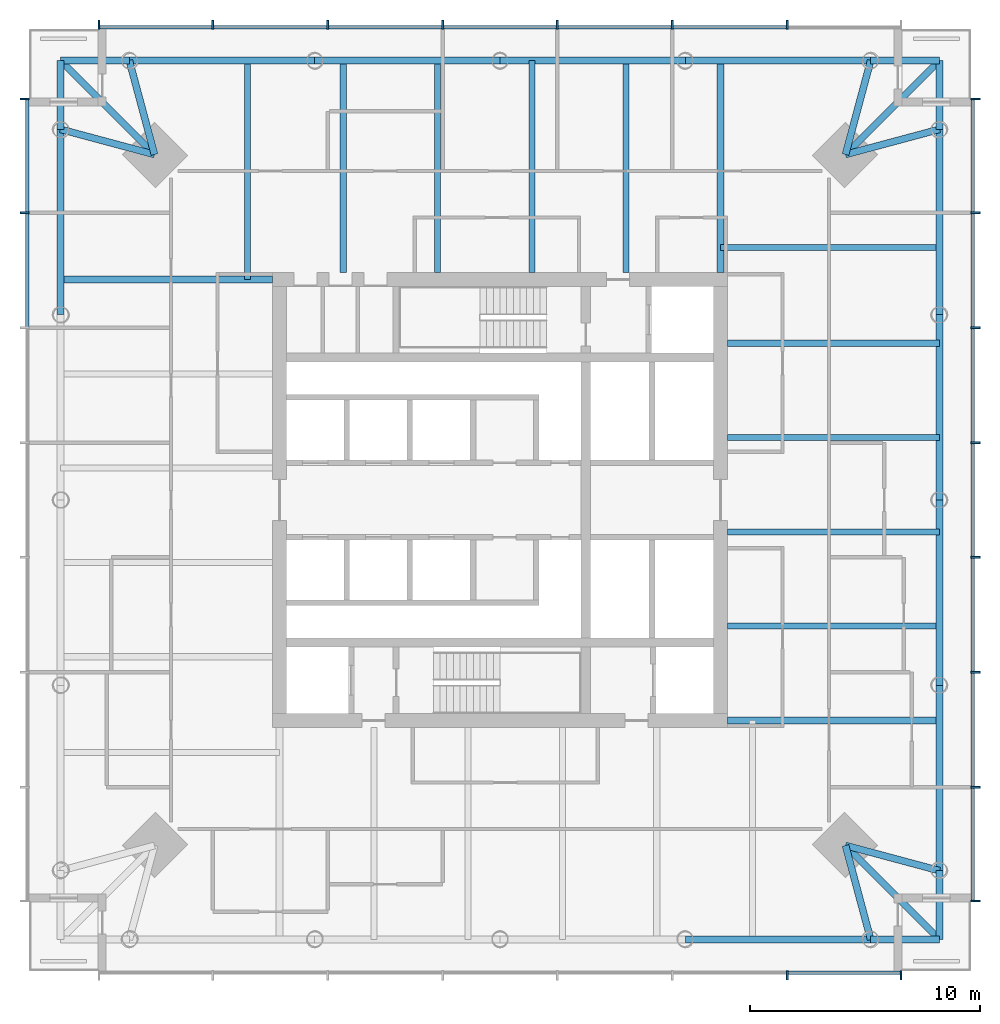
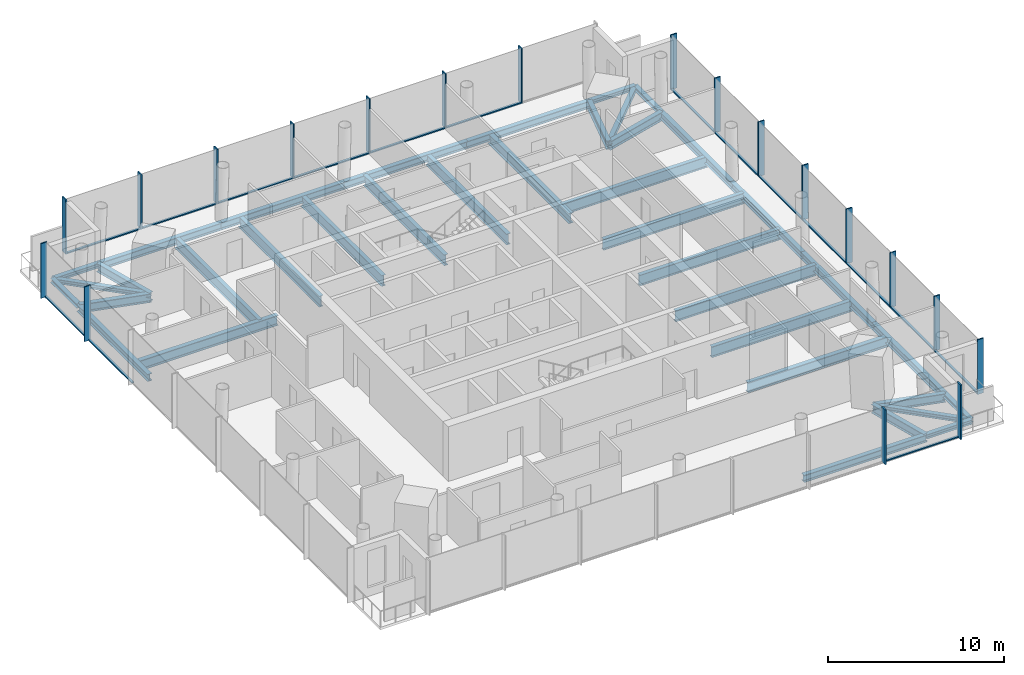
# One storey, part 2 of 8: 38 beams, 35 members, 4 elements without a shape of their own.
"""IFC4 building model written with IfcOpenShell, lengths in metres."""

from ifc_helpers import new_model, si_unit, direction, frame, origin, origin_2d, place, context, subcontext, project, spatial, rectangle, i_section, extrude, material, material_profile, profile_set, type_object, element, aggregate, save


model = new_model("IFC4")

# Units and contexts
model_context = context("Model", 3, precision=1e-05, world=origin(), true_north=direction((0.0, 1.0)))
body_context = subcontext(model_context, "Body", "Model", "MODEL_VIEW")
ifc_project = project(units=[si_unit("LENGTHUNIT", "METRE"), si_unit("AREAUNIT", "SQUARE_METRE"), si_unit("VOLUMEUNIT", "CUBIC_METRE"), si_unit("PLANEANGLEUNIT", "RADIAN"), si_unit("MASSUNIT", "GRAM", prefix="KILO")], contexts=[model_context])

# Site, building, storey
site_placement = place(None, origin())
site = spatial("IfcSite", under=ifc_project, at=site_placement, CompositionType="ELEMENT")
building_placement = place(site_placement, origin())
building = spatial("IfcBuilding", under=site, at=building_placement, Name="Ostroluk Exchange", CompositionType="ELEMENT")
storey_placement = place(building_placement, frame((0.0, 0.0, 173.0)))
storey = spatial("IfcBuildingStorey", under=building, at=storey_placement, Name="L44", CompositionType="ELEMENT", Elevation=173.0)

# Beams
ifc_material_1 = material(Name="Steel S355", Category="steel")
ifc_material_profile_1 = material_profile(ifc_material_1, i_section(OverallWidth=0.300048828125, OverallDepth=0.300048828125, WebThickness=0.010986328125, FlangeThickness=0.01904296875, FilletRadius=0.027099609375, at=origin_2d()), Name="HEB 300")
ifc_profile_set_1 = profile_set([ifc_material_profile_1], Name="Steel S355")
beam_type_1 = type_object("IfcBeamType", Name="Balcony beam HEB 300", PredefinedType="BEAM", material=ifc_profile_set_1)
for number, where, z_axis, x_axis, name in (
    (1, (64.142822265625, 62.142822265625, -0.330078125), (0.0, 1.0, 0.0), (-1.0, 0.0, 0.0), "T1 east balcony beam a"),
    (2, (61.142822265625, 65.142822265625, -0.330078125), (1.0, 0.0, 0.0), (0.0, 1.0, 0.0), "T1 east balcony beam b"),
):
    element("IfcBeam", number, at=place(storey_placement, frame(where, z_axis=z_axis, x_axis=x_axis)), inside=storey, type_object=beam_type_1, Name=name, PredefinedType="BEAM", context=body_context, shape_type="SweptSolid", body=[
        extrude(i_section(OverallWidth=0.300048828125, OverallDepth=0.300048828125, WebThickness=0.010986328125, FlangeThickness=0.01904296875, FilletRadius=0.027099609375, at=origin_2d()), origin(), (0.0, 0.0, 1.0), 3.0),
    ])
beam_1_placement = place(storey_placement, frame((60.04296875, 61.04296875, -0.330078125), z_axis=(0.707106781187, 0.707106781187, 0.0), x_axis=(-0.707106781187, 0.707106781187, 0.0)))
element("IfcBeam", 3, at=beam_1_placement, inside=storey, type_object=beam_type_1, Name="T1 east balcony beam c", PredefinedType="BEAM", context=body_context, shape_type="SweptSolid", body=[
    extrude(i_section(OverallWidth=0.300048828125, OverallDepth=0.300048828125, WebThickness=0.010986328125, FlangeThickness=0.01904296875, FilletRadius=0.027099609375, at=origin_2d()), origin(), (0.0, 0.0, 1.0), 5.798095703125),
])
for number, where, z_axis, x_axis, name in (
    (4, (28.857177734375, 65.142822265625, -0.330078125), (-1.0, 0.0, 0.0), (0.0, -1.0, 0.0), "T1 north balcony beam a"),
    (5, (25.857177734375, 62.142822265625, -0.330078125), (0.0, 1.0, 0.0), (-1.0, 0.0, 0.0), "T1 north balcony beam b"),
):
    element("IfcBeam", number, at=place(storey_placement, frame(where, z_axis=z_axis, x_axis=x_axis)), inside=storey, type_object=beam_type_1, Name=name, PredefinedType="BEAM", context=body_context, shape_type="SweptSolid", body=[
        extrude(i_section(OverallWidth=0.300048828125, OverallDepth=0.300048828125, WebThickness=0.010986328125, FlangeThickness=0.01904296875, FilletRadius=0.027099609375, at=origin_2d()), origin(), (0.0, 0.0, 1.0), 3.0),
    ])
beam_2_placement = place(storey_placement, frame((29.95703125, 61.04296875, -0.330078125), z_axis=(-0.707106781187, 0.707106781187, 0.0), x_axis=(-0.707106781187, -0.707106781187, 0.0)))
element("IfcBeam", 6, at=beam_2_placement, inside=storey, type_object=beam_type_1, Name="T1 north balcony beam c", PredefinedType="BEAM", context=body_context, shape_type="SweptSolid", body=[
    extrude(i_section(OverallWidth=0.300048828125, OverallDepth=0.300048828125, WebThickness=0.010986328125, FlangeThickness=0.01904296875, FilletRadius=0.027099609375, at=origin_2d()), origin(), (0.0, 0.0, 1.0), 5.798095703125),
])
for number, where, z_axis, x_axis, name in (
    (7, (61.142822265625, 26.857177734375, -0.330078125), (1.0, 0.0, 0.0), (0.0, 1.0, 0.0), "T1 south balcony beam a"),
    (8, (64.142822265625, 29.857177734375, -0.330078125), (0.0, -1.0, 0.0), (1.0, 0.0, 0.0), "T1 south balcony beam b"),
):
    element("IfcBeam", number, at=place(storey_placement, frame(where, z_axis=z_axis, x_axis=x_axis)), inside=storey, type_object=beam_type_1, Name=name, PredefinedType="BEAM", context=body_context, shape_type="SweptSolid", body=[
        extrude(i_section(OverallWidth=0.300048828125, OverallDepth=0.300048828125, WebThickness=0.010986328125, FlangeThickness=0.01904296875, FilletRadius=0.027099609375, at=origin_2d()), origin(), (0.0, 0.0, 1.0), 3.0),
    ])
beam_3_placement = place(storey_placement, frame((60.04296875, 30.95703125, -0.330078125), z_axis=(0.707106781187, -0.707106781187, 0.0), x_axis=(0.707106781187, 0.707106781187, 0.0)))
element("IfcBeam", 9, at=beam_3_placement, inside=storey, type_object=beam_type_1, Name="T1 south balcony beam c", PredefinedType="BEAM", context=body_context, shape_type="SweptSolid", body=[
    extrude(i_section(OverallWidth=0.300048828125, OverallDepth=0.300048828125, WebThickness=0.010986328125, FlangeThickness=0.01904296875, FilletRadius=0.027099609375, at=origin_2d()), origin(), (0.0, 0.0, 1.0), 5.798095703125),
])
ifc_material_2 = material(Name="Steel S355", Category="steel")
ifc_material_profile_2 = material_profile(ifc_material_2, i_section(OverallWidth=0.300048828125, OverallDepth=0.60009765625, WebThickness=0.015380859375, FlangeThickness=0.030029296875, FilletRadius=0.027099609375, at=origin_2d()), Name="HEB 600")
ifc_profile_set_2 = profile_set([ifc_material_profile_2], Name="Steel S355")
beam_type_2 = type_object("IfcBeamType", Name="Corner edge beam HEB 600", PredefinedType="SPANDREL", material=ifc_profile_set_2)
for number, where, z_axis, x_axis, name in (
    (10, (60.04296875, 61.04296875, -0.47998046875), (0.965849156574, 0.259105011038, 0.0), (-0.259105011038, 0.965849156574, 0.0), "T1 east corner edge beam a"),
    (11, (60.04296875, 61.04296875, -0.47998046875), (0.259105011038, 0.965849156574, 0.0), (-0.965849156574, 0.259105011038, 0.0), "T1 east corner edge beam b"),
    (12, (29.95703125, 61.04296875, -0.47998046875), (-0.259105011038, 0.965849156574, 0.0), (-0.965849156574, -0.259105011038, 0.0), "T1 north corner edge beam a"),
    (13, (29.95703125, 61.04296875, -0.47998046875), (-0.965849156574, 0.259105011038, 0.0), (-0.259105011038, -0.965849156574, 0.0), "T1 north corner edge beam b"),
    (14, (60.04296875, 30.95703125, -0.47998046875), (0.259105011038, -0.965849156574, 0.0), (0.965849156574, 0.259105011038, 0.0), "T1 south corner edge beam a"),
    (15, (60.04296875, 30.95703125, -0.47998046875), (0.965849156574, -0.259105011038, 0.0), (0.259105011038, 0.965849156574, 0.0), "T1 south corner edge beam b"),
):
    element("IfcBeam", number, at=place(storey_placement, frame(where, z_axis=z_axis, x_axis=x_axis)), inside=storey, type_object=beam_type_2, Name=name, PredefinedType="SPANDREL", context=body_context, shape_type="SweptSolid", body=[
        extrude(i_section(OverallWidth=0.300048828125, OverallDepth=0.60009765625, WebThickness=0.015380859375, FlangeThickness=0.030029296875, FilletRadius=0.027099609375, at=origin_2d()), origin(), (0.0, 0.0, 1.0), 4.244873046875),
    ])
ifc_material_3 = material(Name="Steel S355", Category="steel")
ifc_material_profile_3 = material_profile(ifc_material_3, i_section(OverallWidth=0.264892578125, OverallDepth=0.7529296875, WebThickness=0.01318359375, FlangeThickness=0.01708984375, FilletRadius=0.01708984375, at=origin_2d()), Name="IPE 750x147")
ifc_profile_set_3 = profile_set([ifc_material_profile_3], Name="Steel S355")
beam_type_3 = type_object("IfcBeamType", Name="Floor beam IPE 750x147", PredefinedType="BEAM", material=ifc_profile_set_3)
for number, where, z_axis, x_axis, name in (
    (16, (54.89990234375, 40.506103515625, -0.556396484375), (1.0, 0.0, 0.0), (0.0, 1.0, 0.0), "T1 east floor beam 1"),
    (17, (54.89990234375, 44.6123046875, -0.556396484375), (1.0, 0.0, 0.0), (0.0, 1.0, 0.0), "T1 east floor beam 2"),
    (18, (54.89990234375, 48.71826171875, -0.556396484375), (1.0, 0.0, 0.0), (0.0, 1.0, 0.0), "T1 east floor beam 3"),
    (19, (54.89990234375, 52.824462890625, -0.556396484375), (1.0, 0.0, 0.0), (0.0, 1.0, 0.0), "T1 east floor beam 4"),
):
    element("IfcBeam", number, at=place(storey_placement, frame(where, z_axis=z_axis, x_axis=x_axis)), inside=storey, type_object=beam_type_3, Name=name, PredefinedType="BEAM", context=body_context, shape_type="SweptSolid", body=[
        extrude(i_section(OverallWidth=0.264892578125, OverallDepth=0.7529296875, WebThickness=0.01318359375, FlangeThickness=0.01708984375, FilletRadius=0.01708984375, at=origin_2d()), origin(), (0.0, 0.0, 1.0), 9.242919921875),
    ])
beam_4_placement = place(storey_placement, frame((54.60009765625, 57.0, -0.556396484375), z_axis=(1.0, 0.0, 0.0), x_axis=(0.0, 1.0, 0.0)))
element("IfcBeam", 20, at=beam_4_placement, inside=storey, type_object=beam_type_3, Name="T1 east floor beam 5", PredefinedType="BEAM", context=body_context, shape_type="SweptSolid", body=[
    extrude(i_section(OverallWidth=0.264892578125, OverallDepth=0.7529296875, WebThickness=0.01318359375, FlangeThickness=0.01708984375, FilletRadius=0.01708984375, at=origin_2d()), origin(), (0.0, 0.0, 1.0), 9.542724609375),
])
for number, where, z_axis, x_axis, name in (
    (21, (50.493896484375, 55.89990234375, -0.556396484375), (0.0, 1.0, 0.0), (-1.0, 0.0, 0.0), "T1 north floor beam 1"),
    (22, (46.3876953125, 55.89990234375, -0.556396484375), (0.0, 1.0, 0.0), (-1.0, 0.0, 0.0), "T1 north floor beam 2"),
    (23, (42.28173828125, 55.89990234375, -0.556396484375), (0.0, 1.0, 0.0), (-1.0, 0.0, 0.0), "T1 north floor beam 3"),
    (24, (38.175537109375, 55.89990234375, -0.556396484375), (0.0, 1.0, 0.0), (-1.0, 0.0, 0.0), "T1 north floor beam 4"),
):
    element("IfcBeam", number, at=place(storey_placement, frame(where, z_axis=z_axis, x_axis=x_axis)), inside=storey, type_object=beam_type_3, Name=name, PredefinedType="BEAM", context=body_context, shape_type="SweptSolid", body=[
        extrude(i_section(OverallWidth=0.264892578125, OverallDepth=0.7529296875, WebThickness=0.01318359375, FlangeThickness=0.01708984375, FilletRadius=0.01708984375, at=origin_2d()), origin(), (0.0, 0.0, 1.0), 9.242919921875),
    ])
beam_5_placement = place(storey_placement, frame((34.0, 55.60009765625, -0.556396484375), z_axis=(0.0, 1.0, 0.0), x_axis=(-1.0, 0.0, 0.0)))
element("IfcBeam", 25, at=beam_5_placement, inside=storey, type_object=beam_type_3, Name="T1 north floor beam 5", PredefinedType="BEAM", context=body_context, shape_type="SweptSolid", body=[
    extrude(i_section(OverallWidth=0.264892578125, OverallDepth=0.7529296875, WebThickness=0.01318359375, FlangeThickness=0.01708984375, FilletRadius=0.01708984375, at=origin_2d()), origin(), (0.0, 0.0, 1.0), 9.542724609375),
])
ifc_material_4 = material(Name="Steel S355", Category="steel")
ifc_material_profile_4 = material_profile(ifc_material_4, i_section(OverallWidth=0.300048828125, OverallDepth=0.699951171875, WebThickness=0.01708984375, FlangeThickness=0.031982421875, FilletRadius=0.027099609375, at=origin_2d()), Name="HEB 700")
ifc_profile_set_4 = profile_set([ifc_material_profile_4], Name="Steel S355")
beam_type_4 = type_object("IfcBeamType", Name="Girder HEB 700", PredefinedType="BEAM", material=ifc_profile_set_4)
for number, where, z_axis, x_axis, name in (
    (26, (54.60009765625, 55.89990234375, -0.530029296875), (0.0, 1.0, 0.0), (-1.0, 0.0, 0.0), "T1 east girder"),
    (27, (35.10009765625, 55.60009765625, -0.530029296875), (-1.0, 0.0, 0.0), (0.0, -1.0, 0.0), "T1 north girder"),
    (28, (54.89990234375, 36.39990234375, -0.530029296875), (1.0, 0.0, 0.0), (0.0, 1.0, 0.0), "T1 south girder"),
):
    element("IfcBeam", number, at=place(storey_placement, frame(where, z_axis=z_axis, x_axis=x_axis)), inside=storey, type_object=beam_type_4, Name=name, PredefinedType="BEAM", context=body_context, shape_type="SweptSolid", body=[
        extrude(i_section(OverallWidth=0.300048828125, OverallDepth=0.699951171875, WebThickness=0.01708984375, FlangeThickness=0.031982421875, FilletRadius=0.027099609375, at=origin_2d()), origin(), (0.0, 0.0, 1.0), 9.242919921875),
    ])
ifc_material_5 = material(Name="Steel S355", Category="steel")
ifc_material_profile_5 = material_profile(ifc_material_5, i_section(OverallWidth=0.300048828125, OverallDepth=0.5, WebThickness=0.014404296875, FlangeThickness=0.028076171875, FilletRadius=0.027099609375, at=origin_2d()), Name="HEB 500")
ifc_profile_set_5 = profile_set([ifc_material_profile_5], Name="Steel S355")
beam_type_5 = type_object("IfcBeamType", Name="Moment-connected edge beam HEB 500", PredefinedType="SPANDREL", material=ifc_profile_set_5)
beam_6_placement = place(storey_placement, frame((64.142822265625, 29.857177734375, -0.429931640625), z_axis=(0.0, 1.0, 0.0), x_axis=(-1.0, 0.0, 0.0)))
element("IfcBeam", 29, at=beam_6_placement, inside=storey, type_object=beam_type_5, Name="T1 east edge beam 1", PredefinedType="SPANDREL", context=body_context, shape_type="SweptSolid", body=[
    extrude(i_section(OverallWidth=0.300048828125, OverallDepth=0.5, WebThickness=0.014404296875, FlangeThickness=0.028076171875, FilletRadius=0.027099609375, at=origin_2d()), origin(), (0.0, 0.0, 1.0), 8.0712890625),
])
for number, where, z_axis, x_axis, name in (
    (30, (64.142822265625, 37.928466796875, -0.429931640625), (0.0, 1.0, 0.0), (-1.0, 0.0, 0.0), "T1 east edge beam 2"),
    (31, (64.142822265625, 46.0, -0.429931640625), (0.0, 1.0, 0.0), (-1.0, 0.0, 0.0), "T1 east edge beam 3"),
):
    element("IfcBeam", number, at=place(storey_placement, frame(where, z_axis=z_axis, x_axis=x_axis)), inside=storey, type_object=beam_type_5, Name=name, PredefinedType="SPANDREL", context=body_context, shape_type="SweptSolid", body=[
        extrude(i_section(OverallWidth=0.300048828125, OverallDepth=0.5, WebThickness=0.014404296875, FlangeThickness=0.028076171875, FilletRadius=0.027099609375, at=origin_2d()), origin(), (0.0, 0.0, 1.0), 8.071533203125),
    ])
for number, where, z_axis, x_axis, name in (
    (32, (64.142822265625, 54.071533203125, -0.429931640625), (0.0, 1.0, 0.0), (-1.0, 0.0, 0.0), "T1 east edge beam 4"),
    (33, (61.142822265625, 65.142822265625, -0.429931640625), (-1.0, 0.0, 0.0), (0.0, -1.0, 0.0), "T1 north edge beam 1"),
):
    element("IfcBeam", number, at=place(storey_placement, frame(where, z_axis=z_axis, x_axis=x_axis)), inside=storey, type_object=beam_type_5, Name=name, PredefinedType="SPANDREL", context=body_context, shape_type="SweptSolid", body=[
        extrude(i_section(OverallWidth=0.300048828125, OverallDepth=0.5, WebThickness=0.014404296875, FlangeThickness=0.028076171875, FilletRadius=0.027099609375, at=origin_2d()), origin(), (0.0, 0.0, 1.0), 8.0712890625),
    ])
for number, where, z_axis, x_axis, name in (
    (34, (53.071533203125, 65.142822265625, -0.429931640625), (-1.0, 0.0, 0.0), (0.0, -1.0, 0.0), "T1 north edge beam 2"),
    (35, (45.0, 65.142822265625, -0.429931640625), (-1.0, 0.0, 0.0), (0.0, -1.0, 0.0), "T1 north edge beam 3"),
):
    element("IfcBeam", number, at=place(storey_placement, frame(where, z_axis=z_axis, x_axis=x_axis)), inside=storey, type_object=beam_type_5, Name=name, PredefinedType="SPANDREL", context=body_context, shape_type="SweptSolid", body=[
        extrude(i_section(OverallWidth=0.300048828125, OverallDepth=0.5, WebThickness=0.014404296875, FlangeThickness=0.028076171875, FilletRadius=0.027099609375, at=origin_2d()), origin(), (0.0, 0.0, 1.0), 8.071533203125),
    ])
for number, where, z_axis, x_axis, name in (
    (36, (36.928466796875, 65.142822265625, -0.429931640625), (-1.0, 0.0, 0.0), (0.0, -1.0, 0.0), "T1 north edge beam 4"),
    (37, (25.857177734375, 62.142822265625, -0.429931640625), (0.0, -1.0, 0.0), (1.0, 0.0, 0.0), "T1 west edge beam 1"),
    (38, (53.071533203125, 26.857177734375, -0.429931640625), (1.0, 0.0, 0.0), (0.0, 1.0, 0.0), "T1 south edge beam 4"),
):
    element("IfcBeam", number, at=place(storey_placement, frame(where, z_axis=z_axis, x_axis=x_axis)), inside=storey, type_object=beam_type_5, Name=name, PredefinedType="SPANDREL", context=body_context, shape_type="SweptSolid", body=[
        extrude(i_section(OverallWidth=0.300048828125, OverallDepth=0.5, WebThickness=0.014404296875, FlangeThickness=0.028076171875, FilletRadius=0.027099609375, at=origin_2d()), origin(), (0.0, 0.0, 1.0), 8.0712890625),
    ])

# Curtain wall, member
ifc_material_6 = material(Name="Laminated clear glass", Category="glass")
curtain_wall_type = type_object("IfcCurtainWallType", Name="Office tower facade", PredefinedType="USERDEFINED", material=ifc_material_6)
curtain_wall_1_placement = place(storey_placement, origin())
curtain_wall_1 = element("IfcCurtainWall", 39, at=curtain_wall_1_placement, inside=storey, type_object=curtain_wall_type, Name="Office tower south facade L44", ObjectType="UNITISED CURTAIN WALL", PredefinedType="USERDEFINED")
ifc_material_7 = material(Name="Aluminium mullion", Category="aluminium")
ifc_material_profile_6 = material_profile(ifc_material_7, rectangle(XDim=0.14990234375, YDim=0.080078125, at=origin_2d()), Name="Sill transom 80 x 150")
ifc_profile_set_6 = profile_set([ifc_material_profile_6], Name="Aluminium mullion")
member_type_1 = type_object("IfcMemberType", Name="Sill transom 80 x 150", PredefinedType="USERDEFINED", material=ifc_profile_set_6)
member_1_placement = place(storey_placement, frame((57.5400390625, 25.425048828125, 0.0400390625), z_axis=(1.0, 0.0, 0.0), x_axis=(0.0, 1.0, 0.0)))
member_1 = element("IfcMember", 40, at=member_1_placement, type_object=member_type_1, Name="CW-O1 transom 7.1", ObjectType="TRANSOM", PredefinedType="USERDEFINED", context=body_context, shape_type="SweptSolid", body=[
    extrude(rectangle(XDim=0.14990234375, YDim=0.080078125, at=origin_2d()), origin(), (0.0, 0.0, 1.0), 4.8798828125),
])

# Curtain wall, members
curtain_wall_2_placement = place(storey_placement, origin())
curtain_wall_2 = element("IfcCurtainWall", 41, at=curtain_wall_2_placement, inside=storey, type_object=curtain_wall_type, Name="Office tower east facade L44", ObjectType="UNITISED CURTAIN WALL", PredefinedType="USERDEFINED")
member_2_placement = place(storey_placement, frame((65.574951171875, 28.580078125, 0.0400390625), z_axis=(0.0, 1.0, 0.0), x_axis=(-1.0, 0.0, 0.0)))
member_2 = element("IfcMember", 42, at=member_2_placement, type_object=member_type_1, Name="CW-O1 transom 1.1", ObjectType="TRANSOM", PredefinedType="USERDEFINED", context=body_context, shape_type="SweptSolid", body=[
    extrude(rectangle(XDim=0.14990234375, YDim=0.080078125, at=origin_2d()), origin(), (0.0, 0.0, 1.0), 4.8798828125),
])
member_3_placement = place(storey_placement, frame((65.574951171875, 33.5400390625, 0.0400390625), z_axis=(0.0, 1.0, 0.0), x_axis=(-1.0, 0.0, 0.0)))
member_3 = element("IfcMember", 43, at=member_3_placement, type_object=member_type_1, Name="CW-O1 transom 2.1", ObjectType="TRANSOM", PredefinedType="USERDEFINED", context=body_context, shape_type="SweptSolid", body=[
    extrude(rectangle(XDim=0.14990234375, YDim=0.080078125, at=origin_2d()), origin(), (0.0, 0.0, 1.0), 4.919921875),
])
member_4_placement = place(storey_placement, frame((65.574951171875, 38.5400390625, 0.0400390625), z_axis=(0.0, 1.0, 0.0), x_axis=(-1.0, 0.0, 0.0)))
member_4 = element("IfcMember", 44, at=member_4_placement, type_object=member_type_1, Name="CW-O1 transom 3.1", ObjectType="TRANSOM", PredefinedType="USERDEFINED", context=body_context, shape_type="SweptSolid", body=[
    extrude(rectangle(XDim=0.14990234375, YDim=0.080078125, at=origin_2d()), origin(), (0.0, 0.0, 1.0), 4.919921875),
])
member_5_placement = place(storey_placement, frame((65.574951171875, 43.5400390625, 0.0400390625), z_axis=(0.0, 1.0, 0.0), x_axis=(-1.0, 0.0, 0.0)))
member_5 = element("IfcMember", 45, at=member_5_placement, type_object=member_type_1, Name="CW-O1 transom 4.1", ObjectType="TRANSOM", PredefinedType="USERDEFINED", context=body_context, shape_type="SweptSolid", body=[
    extrude(rectangle(XDim=0.14990234375, YDim=0.080078125, at=origin_2d()), origin(), (0.0, 0.0, 1.0), 4.919921875),
])
member_6_placement = place(storey_placement, frame((65.574951171875, 48.5400390625, 0.0400390625), z_axis=(0.0, 1.0, 0.0), x_axis=(-1.0, 0.0, 0.0)))
member_6 = element("IfcMember", 46, at=member_6_placement, type_object=member_type_1, Name="CW-O1 transom 5.1", ObjectType="TRANSOM", PredefinedType="USERDEFINED", context=body_context, shape_type="SweptSolid", body=[
    extrude(rectangle(XDim=0.14990234375, YDim=0.080078125, at=origin_2d()), origin(), (0.0, 0.0, 1.0), 4.919921875),
])
member_7_placement = place(storey_placement, frame((65.574951171875, 53.5400390625, 0.0400390625), z_axis=(0.0, 1.0, 0.0), x_axis=(-1.0, 0.0, 0.0)))
member_7 = element("IfcMember", 47, at=member_7_placement, type_object=member_type_1, Name="CW-O1 transom 6.1", ObjectType="TRANSOM", PredefinedType="USERDEFINED", context=body_context, shape_type="SweptSolid", body=[
    extrude(rectangle(XDim=0.14990234375, YDim=0.080078125, at=origin_2d()), origin(), (0.0, 0.0, 1.0), 4.919921875),
])
member_8_placement = place(storey_placement, frame((65.574951171875, 58.5400390625, 0.0400390625), z_axis=(0.0, 1.0, 0.0), x_axis=(-1.0, 0.0, 0.0)))
member_8 = element("IfcMember", 48, at=member_8_placement, type_object=member_type_1, Name="CW-O1 transom 7.1", ObjectType="TRANSOM", PredefinedType="USERDEFINED", context=body_context, shape_type="SweptSolid", body=[
    extrude(rectangle(XDim=0.14990234375, YDim=0.080078125, at=origin_2d()), origin(), (0.0, 0.0, 1.0), 4.8798828125),
])

curtain_wall_3_placement = place(storey_placement, origin())
curtain_wall_3 = element("IfcCurtainWall", 49, at=curtain_wall_3_placement, inside=storey, type_object=curtain_wall_type, Name="Office tower north facade L44", ObjectType="UNITISED CURTAIN WALL", PredefinedType="USERDEFINED")
member_9_placement = place(storey_placement, frame((57.4599609375, 66.574951171875, 0.0400390625), z_axis=(-1.0, 0.0, 0.0), x_axis=(0.0, -1.0, 0.0)))
member_9 = element("IfcMember", 50, at=member_9_placement, type_object=member_type_1, Name="CW-O1 transom 2.1", ObjectType="TRANSOM", PredefinedType="USERDEFINED", context=body_context, shape_type="SweptSolid", body=[
    extrude(rectangle(XDim=0.14990234375, YDim=0.080078125, at=origin_2d()), origin(), (0.0, 0.0, 1.0), 4.919921875),
])
member_10_placement = place(storey_placement, frame((52.4599609375, 66.574951171875, 0.0400390625), z_axis=(-1.0, 0.0, 0.0), x_axis=(0.0, -1.0, 0.0)))
member_10 = element("IfcMember", 51, at=member_10_placement, type_object=member_type_1, Name="CW-O1 transom 3.1", ObjectType="TRANSOM", PredefinedType="USERDEFINED", context=body_context, shape_type="SweptSolid", body=[
    extrude(rectangle(XDim=0.14990234375, YDim=0.080078125, at=origin_2d()), origin(), (0.0, 0.0, 1.0), 4.919921875),
])
member_11_placement = place(storey_placement, frame((47.4599609375, 66.574951171875, 0.0400390625), z_axis=(-1.0, 0.0, 0.0), x_axis=(0.0, -1.0, 0.0)))
member_11 = element("IfcMember", 52, at=member_11_placement, type_object=member_type_1, Name="CW-O1 transom 4.1", ObjectType="TRANSOM", PredefinedType="USERDEFINED", context=body_context, shape_type="SweptSolid", body=[
    extrude(rectangle(XDim=0.14990234375, YDim=0.080078125, at=origin_2d()), origin(), (0.0, 0.0, 1.0), 4.919921875),
])
member_12_placement = place(storey_placement, frame((42.4599609375, 66.574951171875, 0.0400390625), z_axis=(-1.0, 0.0, 0.0), x_axis=(0.0, -1.0, 0.0)))
member_12 = element("IfcMember", 53, at=member_12_placement, type_object=member_type_1, Name="CW-O1 transom 5.1", ObjectType="TRANSOM", PredefinedType="USERDEFINED", context=body_context, shape_type="SweptSolid", body=[
    extrude(rectangle(XDim=0.14990234375, YDim=0.080078125, at=origin_2d()), origin(), (0.0, 0.0, 1.0), 4.919921875),
])
member_13_placement = place(storey_placement, frame((37.4599609375, 66.574951171875, 0.0400390625), z_axis=(-1.0, 0.0, 0.0), x_axis=(0.0, -1.0, 0.0)))
member_13 = element("IfcMember", 54, at=member_13_placement, type_object=member_type_1, Name="CW-O1 transom 6.1", ObjectType="TRANSOM", PredefinedType="USERDEFINED", context=body_context, shape_type="SweptSolid", body=[
    extrude(rectangle(XDim=0.14990234375, YDim=0.080078125, at=origin_2d()), origin(), (0.0, 0.0, 1.0), 4.919921875),
])
member_14_placement = place(storey_placement, frame((32.4599609375, 66.574951171875, 0.0400390625), z_axis=(-1.0, 0.0, 0.0), x_axis=(0.0, -1.0, 0.0)))
member_14 = element("IfcMember", 55, at=member_14_placement, type_object=member_type_1, Name="CW-O1 transom 7.1", ObjectType="TRANSOM", PredefinedType="USERDEFINED", context=body_context, shape_type="SweptSolid", body=[
    extrude(rectangle(XDim=0.14990234375, YDim=0.080078125, at=origin_2d()), origin(), (0.0, 0.0, 1.0), 4.8798828125),
])

curtain_wall_4_placement = place(storey_placement, origin())
curtain_wall_4 = element("IfcCurtainWall", 56, at=curtain_wall_4_placement, inside=storey, type_object=curtain_wall_type, Name="Office tower west facade L44", ObjectType="UNITISED CURTAIN WALL", PredefinedType="USERDEFINED")
member_15_placement = place(storey_placement, frame((24.425048828125, 63.419921875, 0.0400390625), z_axis=(0.0, -1.0, 0.0), x_axis=(1.0, 0.0, 0.0)))
member_15 = element("IfcMember", 57, at=member_15_placement, type_object=member_type_1, Name="CW-O1 transom 1.1", ObjectType="TRANSOM", PredefinedType="USERDEFINED", context=body_context, shape_type="SweptSolid", body=[
    extrude(rectangle(XDim=0.14990234375, YDim=0.080078125, at=origin_2d()), origin(), (0.0, 0.0, 1.0), 4.8798828125),
])
member_16_placement = place(storey_placement, frame((24.425048828125, 58.4599609375, 0.0400390625), z_axis=(0.0, -1.0, 0.0), x_axis=(1.0, 0.0, 0.0)))
member_16 = element("IfcMember", 58, at=member_16_placement, type_object=member_type_1, Name="CW-O1 transom 2.1", ObjectType="TRANSOM", PredefinedType="USERDEFINED", context=body_context, shape_type="SweptSolid", body=[
    extrude(rectangle(XDim=0.14990234375, YDim=0.080078125, at=origin_2d()), origin(), (0.0, 0.0, 1.0), 4.919921875),
])

# Member
ifc_material_8 = material(Name="Aluminium mullion with limestone facing", Category="masonry")
ifc_material_profile_7 = material_profile(ifc_material_8, rectangle(XDim=0.39990234375, YDim=0.080078125, at=origin_2d()), Name="Tracery mullion 80 x 400")
ifc_profile_set_7 = profile_set([ifc_material_profile_7], Name="Aluminium mullion with limestone facing")
member_type_2 = type_object("IfcMemberType", Name="Tracery mullion 80 x 400", PredefinedType="MULLION", material=ifc_profile_set_7)
member_17_placement = place(storey_placement, frame((57.5, 25.300048828125, 0.0), z_axis=(0.0, 0.0, 1.0), x_axis=(0.0, 1.0, 0.0)))
member_17 = element("IfcMember", 59, at=member_17_placement, type_object=member_type_2, Name="CW-O1 mullion 7", PredefinedType="MULLION", context=body_context, shape_type="SweptSolid", body=[
    extrude(rectangle(XDim=0.39990234375, YDim=0.080078125, at=origin_2d()), origin(), (0.0, 0.0, 1.0), 3.800048828125),
])

member_18_placement = place(storey_placement, frame((62.4599609375, 25.300048828125, 0.0), z_axis=(0.0, 0.0, 1.0), x_axis=(0.0, 1.0, 0.0)))
member_18 = element("IfcMember", 60, at=member_18_placement, type_object=member_type_2, Name="CW-O1 mullion 8", PredefinedType="MULLION", context=body_context, shape_type="SweptSolid", body=[
    extrude(rectangle(XDim=0.39990234375, YDim=0.080078125, at=origin_2d()), origin(), (0.0, 0.0, 1.0), 3.800048828125),
])

aggregate(curtain_wall_1, [member_17, member_18, member_1])

member_19_placement = place(storey_placement, frame((65.699951171875, 28.5400390625, 0.0), z_axis=(0.0, 0.0, 1.0), x_axis=(-1.0, 0.0, 0.0)))
member_19 = element("IfcMember", 61, at=member_19_placement, type_object=member_type_2, Name="CW-O1 mullion 1", PredefinedType="MULLION", context=body_context, shape_type="SweptSolid", body=[
    extrude(rectangle(XDim=0.39990234375, YDim=0.080078125, at=origin_2d()), origin(), (0.0, 0.0, 1.0), 3.800048828125),
])

member_20_placement = place(storey_placement, frame((65.699951171875, 33.5, 0.0), z_axis=(0.0, 0.0, 1.0), x_axis=(-1.0, 0.0, 0.0)))
member_20 = element("IfcMember", 62, at=member_20_placement, type_object=member_type_2, Name="CW-O1 mullion 2", PredefinedType="MULLION", context=body_context, shape_type="SweptSolid", body=[
    extrude(rectangle(XDim=0.39990234375, YDim=0.080078125, at=origin_2d()), origin(), (0.0, 0.0, 1.0), 3.800048828125),
])

member_21_placement = place(storey_placement, frame((65.699951171875, 38.5, 0.0), z_axis=(0.0, 0.0, 1.0), x_axis=(-1.0, 0.0, 0.0)))
member_21 = element("IfcMember", 63, at=member_21_placement, type_object=member_type_2, Name="CW-O1 mullion 3", PredefinedType="MULLION", context=body_context, shape_type="SweptSolid", body=[
    extrude(rectangle(XDim=0.39990234375, YDim=0.080078125, at=origin_2d()), origin(), (0.0, 0.0, 1.0), 3.800048828125),
])

member_22_placement = place(storey_placement, frame((65.699951171875, 43.5, 0.0), z_axis=(0.0, 0.0, 1.0), x_axis=(-1.0, 0.0, 0.0)))
member_22 = element("IfcMember", 64, at=member_22_placement, type_object=member_type_2, Name="CW-O1 mullion 4", PredefinedType="MULLION", context=body_context, shape_type="SweptSolid", body=[
    extrude(rectangle(XDim=0.39990234375, YDim=0.080078125, at=origin_2d()), origin(), (0.0, 0.0, 1.0), 3.800048828125),
])

member_23_placement = place(storey_placement, frame((65.699951171875, 48.5, 0.0), z_axis=(0.0, 0.0, 1.0), x_axis=(-1.0, 0.0, 0.0)))
member_23 = element("IfcMember", 65, at=member_23_placement, type_object=member_type_2, Name="CW-O1 mullion 5", PredefinedType="MULLION", context=body_context, shape_type="SweptSolid", body=[
    extrude(rectangle(XDim=0.39990234375, YDim=0.080078125, at=origin_2d()), origin(), (0.0, 0.0, 1.0), 3.800048828125),
])

member_24_placement = place(storey_placement, frame((65.699951171875, 53.5, 0.0), z_axis=(0.0, 0.0, 1.0), x_axis=(-1.0, 0.0, 0.0)))
member_24 = element("IfcMember", 66, at=member_24_placement, type_object=member_type_2, Name="CW-O1 mullion 6", PredefinedType="MULLION", context=body_context, shape_type="SweptSolid", body=[
    extrude(rectangle(XDim=0.39990234375, YDim=0.080078125, at=origin_2d()), origin(), (0.0, 0.0, 1.0), 3.800048828125),
])

member_25_placement = place(storey_placement, frame((65.699951171875, 58.5, 0.0), z_axis=(0.0, 0.0, 1.0), x_axis=(-1.0, 0.0, 0.0)))
member_25 = element("IfcMember", 67, at=member_25_placement, type_object=member_type_2, Name="CW-O1 mullion 7", PredefinedType="MULLION", context=body_context, shape_type="SweptSolid", body=[
    extrude(rectangle(XDim=0.39990234375, YDim=0.080078125, at=origin_2d()), origin(), (0.0, 0.0, 1.0), 3.800048828125),
])

member_26_placement = place(storey_placement, frame((65.699951171875, 63.4599609375, 0.0), z_axis=(0.0, 0.0, 1.0), x_axis=(-1.0, 0.0, 0.0)))
member_26 = element("IfcMember", 68, at=member_26_placement, type_object=member_type_2, Name="CW-O1 mullion 8", PredefinedType="MULLION", context=body_context, shape_type="SweptSolid", body=[
    extrude(rectangle(XDim=0.39990234375, YDim=0.080078125, at=origin_2d()), origin(), (0.0, 0.0, 1.0), 3.800048828125),
])

aggregate(curtain_wall_2, [member_19, member_20, member_21, member_22, member_23, member_24, member_25, member_26, member_2, member_3, member_4, member_5, member_6, member_7, member_8])

member_27_placement = place(storey_placement, frame((57.5, 66.699951171875, 0.0), z_axis=(0.0, 0.0, 1.0), x_axis=(0.0, -1.0, 0.0)))
member_27 = element("IfcMember", 69, at=member_27_placement, type_object=member_type_2, Name="CW-O1 mullion 2", PredefinedType="MULLION", context=body_context, shape_type="SweptSolid", body=[
    extrude(rectangle(XDim=0.39990234375, YDim=0.080078125, at=origin_2d()), origin(), (0.0, 0.0, 1.0), 3.800048828125),
])

member_28_placement = place(storey_placement, frame((52.5, 66.699951171875, 0.0), z_axis=(0.0, 0.0, 1.0), x_axis=(0.0, -1.0, 0.0)))
member_28 = element("IfcMember", 70, at=member_28_placement, type_object=member_type_2, Name="CW-O1 mullion 3", PredefinedType="MULLION", context=body_context, shape_type="SweptSolid", body=[
    extrude(rectangle(XDim=0.39990234375, YDim=0.080078125, at=origin_2d()), origin(), (0.0, 0.0, 1.0), 3.800048828125),
])

member_29_placement = place(storey_placement, frame((47.5, 66.699951171875, 0.0), z_axis=(0.0, 0.0, 1.0), x_axis=(0.0, -1.0, 0.0)))
member_29 = element("IfcMember", 71, at=member_29_placement, type_object=member_type_2, Name="CW-O1 mullion 4", PredefinedType="MULLION", context=body_context, shape_type="SweptSolid", body=[
    extrude(rectangle(XDim=0.39990234375, YDim=0.080078125, at=origin_2d()), origin(), (0.0, 0.0, 1.0), 3.800048828125),
])

member_30_placement = place(storey_placement, frame((42.5, 66.699951171875, 0.0), z_axis=(0.0, 0.0, 1.0), x_axis=(0.0, -1.0, 0.0)))
member_30 = element("IfcMember", 72, at=member_30_placement, type_object=member_type_2, Name="CW-O1 mullion 5", PredefinedType="MULLION", context=body_context, shape_type="SweptSolid", body=[
    extrude(rectangle(XDim=0.39990234375, YDim=0.080078125, at=origin_2d()), origin(), (0.0, 0.0, 1.0), 3.800048828125),
])

member_31_placement = place(storey_placement, frame((37.5, 66.699951171875, 0.0), z_axis=(0.0, 0.0, 1.0), x_axis=(0.0, -1.0, 0.0)))
member_31 = element("IfcMember", 73, at=member_31_placement, type_object=member_type_2, Name="CW-O1 mullion 6", PredefinedType="MULLION", context=body_context, shape_type="SweptSolid", body=[
    extrude(rectangle(XDim=0.39990234375, YDim=0.080078125, at=origin_2d()), origin(), (0.0, 0.0, 1.0), 3.800048828125),
])

member_32_placement = place(storey_placement, frame((32.5, 66.699951171875, 0.0), z_axis=(0.0, 0.0, 1.0), x_axis=(0.0, -1.0, 0.0)))
member_32 = element("IfcMember", 74, at=member_32_placement, type_object=member_type_2, Name="CW-O1 mullion 7", PredefinedType="MULLION", context=body_context, shape_type="SweptSolid", body=[
    extrude(rectangle(XDim=0.39990234375, YDim=0.080078125, at=origin_2d()), origin(), (0.0, 0.0, 1.0), 3.800048828125),
])

member_33_placement = place(storey_placement, frame((27.5400390625, 66.699951171875, 0.0), z_axis=(0.0, 0.0, 1.0), x_axis=(0.0, -1.0, 0.0)))
member_33 = element("IfcMember", 75, at=member_33_placement, type_object=member_type_2, Name="CW-O1 mullion 8", PredefinedType="MULLION", context=body_context, shape_type="SweptSolid", body=[
    extrude(rectangle(XDim=0.39990234375, YDim=0.080078125, at=origin_2d()), origin(), (0.0, 0.0, 1.0), 3.800048828125),
])

aggregate(curtain_wall_3, [member_27, member_28, member_29, member_30, member_31, member_32, member_33, member_9, member_10, member_11, member_12, member_13, member_14])

member_34_placement = place(storey_placement, frame((24.300048828125, 63.4599609375, 0.0), z_axis=(0.0, 0.0, 1.0), x_axis=(1.0, 0.0, 0.0)))
member_34 = element("IfcMember", 76, at=member_34_placement, type_object=member_type_2, Name="CW-O1 mullion 1", PredefinedType="MULLION", context=body_context, shape_type="SweptSolid", body=[
    extrude(rectangle(XDim=0.39990234375, YDim=0.080078125, at=origin_2d()), origin(), (0.0, 0.0, 1.0), 3.800048828125),
])

member_35_placement = place(storey_placement, frame((24.300048828125, 58.5, 0.0), z_axis=(0.0, 0.0, 1.0), x_axis=(1.0, 0.0, 0.0)))
member_35 = element("IfcMember", 77, at=member_35_placement, type_object=member_type_2, Name="CW-O1 mullion 2", PredefinedType="MULLION", context=body_context, shape_type="SweptSolid", body=[
    extrude(rectangle(XDim=0.39990234375, YDim=0.080078125, at=origin_2d()), origin(), (0.0, 0.0, 1.0), 3.800048828125),
])

aggregate(curtain_wall_4, [member_34, member_35, member_15, member_16])

save(model, "model.ifc")
